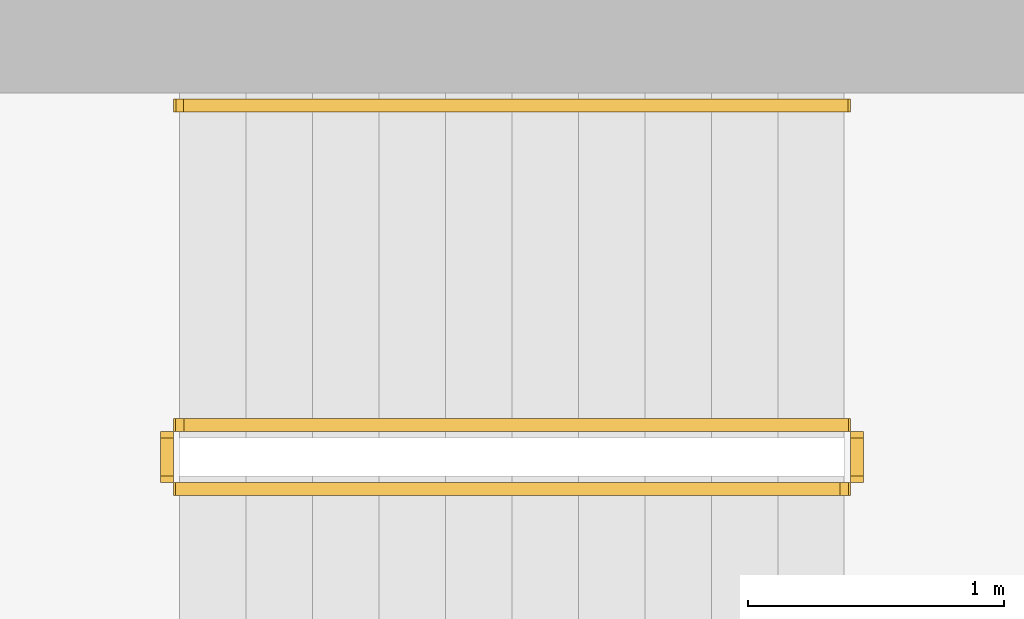
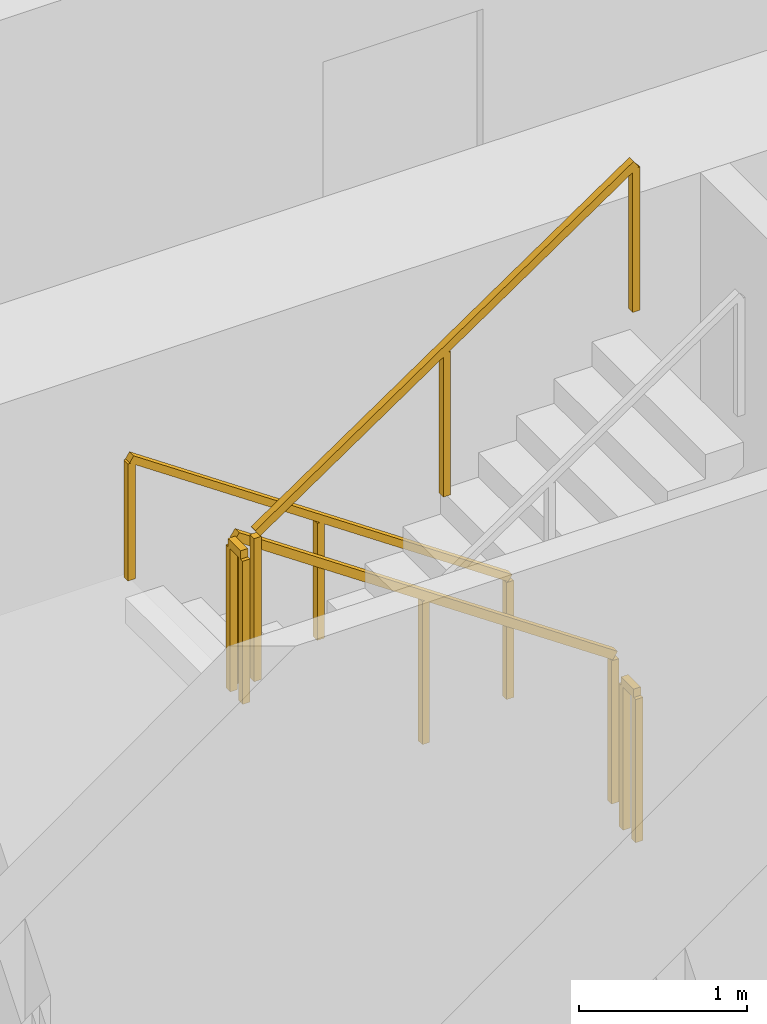
# One storey, part 14 of 15: 5 railings.
"""IFC4 building model written with IfcOpenShell, lengths in metres."""

from ifc_helpers import new_model, si_unit, direction, frame, origin, origin_2d, place, context, subcontext, project, spatial, rectangle, extrude, material, type_object, element, save


model = new_model("IFC4")

# Units and contexts
model_context = context("Model", 3, precision=1e-05, world=origin(), true_north=direction((0.0, 1.0)))
body_context = subcontext(model_context, "Body", "Model", "MODEL_VIEW")
ifc_project = project(units=[si_unit("LENGTHUNIT", "METRE"), si_unit("AREAUNIT", "SQUARE_METRE"), si_unit("VOLUMEUNIT", "CUBIC_METRE"), si_unit("PLANEANGLEUNIT", "RADIAN"), si_unit("MASSUNIT", "GRAM", prefix="KILO")], contexts=[model_context])

# Site, building, storey
site_placement = place(None, origin())
site = spatial("IfcSite", under=ifc_project, at=site_placement, CompositionType="ELEMENT")
building_placement = place(site_placement, origin())
building = spatial("IfcBuilding", under=site, at=building_placement, Name="Khepri Terraces", CompositionType="ELEMENT")
storey_placement = place(building_placement, frame((0.0, 0.0, 260.10009765625)))
storey = spatial("IfcBuildingStorey", under=building, at=storey_placement, Name="L62", CompositionType="ELEMENT", Elevation=260.10009765625)

# Railings
ifc_material = material(Name="Stainless steel 316", Category="steel")
railing_type_1 = type_object("IfcRailingType", Name="RL-CORE-GUARD", PredefinedType="GUARDRAIL", material=ifc_material)
railing_1_placement = place(storey_placement, frame((-0.25, 8.800048828125, 0.17724609375)))
element("IfcRailing", 1, at=railing_1_placement, inside=storey, type_object=railing_type_1, Name="L62 ST-3 stair guard 1", PredefinedType="GUARDRAIL", context=body_context, shape_type="SweptSolid", body=[
    extrude(rectangle(XDim=0.050048828125, YDim=0.06005859375, at=origin_2d()), frame((0.0, 0.0, 1.070068359375), z_axis=(-0.826240473404, 0.0, 0.563317565952), x_axis=(0.0, -1.0, 0.0)), (0.0, 0.0, 1.0), 3.14697265625),
    extrude(rectangle(XDim=0.050048828125, YDim=0.050048828125, at=origin_2d()), origin(), (0.0, 0.0, 1.0), 1.0400390625),
    extrude(rectangle(XDim=0.050048828125, YDim=0.050048828125, at=origin_2d()), frame((-1.300048828125, 0.0, 0.88623046875)), (0.0, 0.0, 1.0), 1.0400390625),
    extrude(rectangle(XDim=0.050048828125, YDim=0.050048828125, at=origin_2d()), frame((-2.60009765625, 0.0, 1.772705078125)), (0.0, 0.0, 1.0), 1.0400390625),
])
railing_2_placement = place(storey_placement, frame((-2.89990234375, 8.75, 1.949951171875)))
element("IfcRailing", 2, at=railing_2_placement, inside=storey, type_object=railing_type_1, Name="L62 ST-3 stair guard 2", PredefinedType="GUARDRAIL", context=body_context, shape_type="SweptSolid", body=[
    extrude(rectangle(XDim=0.050048828125, YDim=0.06005859375, at=origin_2d()), frame((0.0, 0.0, 1.070068359375), z_axis=(0.0, -1.0, 0.0), x_axis=(1.0, 0.0, 0.0)), (0.0, 0.0, 1.0), 0.14990234375),
    extrude(rectangle(XDim=0.050048828125, YDim=0.050048828125, at=origin_2d()), origin(), (0.0, 0.0, 1.0), 1.0400390625),
    extrude(rectangle(XDim=0.050048828125, YDim=0.050048828125, at=origin_2d()), frame((0.0, -0.14990234375, 0.0)), (0.0, 0.0, 1.0), 1.0400390625),
])
railing_3_placement = place(storey_placement, frame((-2.85009765625, 8.550048828125, 2.127197265625)))
element("IfcRailing", 3, at=railing_3_placement, inside=storey, type_object=railing_type_1, Name="L62 ST-3 stair guard 3", PredefinedType="GUARDRAIL", context=body_context, shape_type="SweptSolid", body=[
    extrude(rectangle(XDim=0.050048828125, YDim=0.06005859375, at=origin_2d()), frame((0.0, 0.0, 1.070068359375), z_axis=(0.826240473404, 0.0, 0.563317565952), x_axis=(0.0, 1.0, 0.0)), (0.0, 0.0, 1.0), 3.14697265625),
    extrude(rectangle(XDim=0.050048828125, YDim=0.050048828125, at=origin_2d()), origin(), (0.0, 0.0, 1.0), 1.0400390625),
    extrude(rectangle(XDim=0.050048828125, YDim=0.050048828125, at=origin_2d()), frame((1.300048828125, 0.0, 0.88623046875)), (0.0, 0.0, 1.0), 1.0400390625),
    extrude(rectangle(XDim=0.050048828125, YDim=0.050048828125, at=origin_2d()), frame((2.60009765625, 0.0, 1.772705078125)), (0.0, 0.0, 1.0), 1.0400390625),
])
railing_4_placement = place(storey_placement, frame((-0.199951171875, 8.75, 0.0)))
element("IfcRailing", 4, at=railing_4_placement, inside=storey, type_object=railing_type_1, Name="L62 ST-3 stair guard 4", PredefinedType="GUARDRAIL", context=body_context, shape_type="SweptSolid", body=[
    extrude(rectangle(XDim=0.050048828125, YDim=0.06005859375, at=origin_2d()), frame((0.0, 0.0, 1.070068359375), z_axis=(0.0, -1.0, 0.0), x_axis=(1.0, 0.0, 0.0)), (0.0, 0.0, 1.0), 0.14990234375),
    extrude(rectangle(XDim=0.050048828125, YDim=0.050048828125, at=origin_2d()), origin(), (0.0, 0.0, 1.0), 1.0400390625),
    extrude(rectangle(XDim=0.050048828125, YDim=0.050048828125, at=origin_2d()), frame((0.0, -0.14990234375, 0.0)), (0.0, 0.0, 1.0), 1.0400390625),
])
railing_type_2 = type_object("IfcRailingType", Name="RL-CORE-HANDRAIL", PredefinedType="HANDRAIL", material=ifc_material)
railing_5_placement = place(storey_placement, frame((-0.25, 10.050048828125, 0.17724609375)))
element("IfcRailing", 5, at=railing_5_placement, inside=storey, type_object=railing_type_2, Name="L62 ST-3 stair handrail 1", PredefinedType="HANDRAIL", context=body_context, shape_type="SweptSolid", body=[
    extrude(rectangle(XDim=0.050048828125, YDim=0.050048828125, at=origin_2d()), frame((0.0, 0.0, 0.875), z_axis=(-0.826240473404, 0.0, 0.563317565952), x_axis=(0.0, -1.0, 0.0)), (0.0, 0.0, 1.0), 3.14697265625),
    extrude(rectangle(XDim=0.050048828125, YDim=0.050048828125, at=origin_2d()), origin(), (0.0, 0.0, 1.0), 0.849853515625),
    extrude(rectangle(XDim=0.050048828125, YDim=0.050048828125, at=origin_2d()), frame((-1.300048828125, 0.0, 0.88623046875)), (0.0, 0.0, 1.0), 0.849853515625),
    extrude(rectangle(XDim=0.050048828125, YDim=0.050048828125, at=origin_2d()), frame((-2.60009765625, 0.0, 1.772705078125)), (0.0, 0.0, 1.0), 0.849853515625),
])

save(model, "model.ifc")
